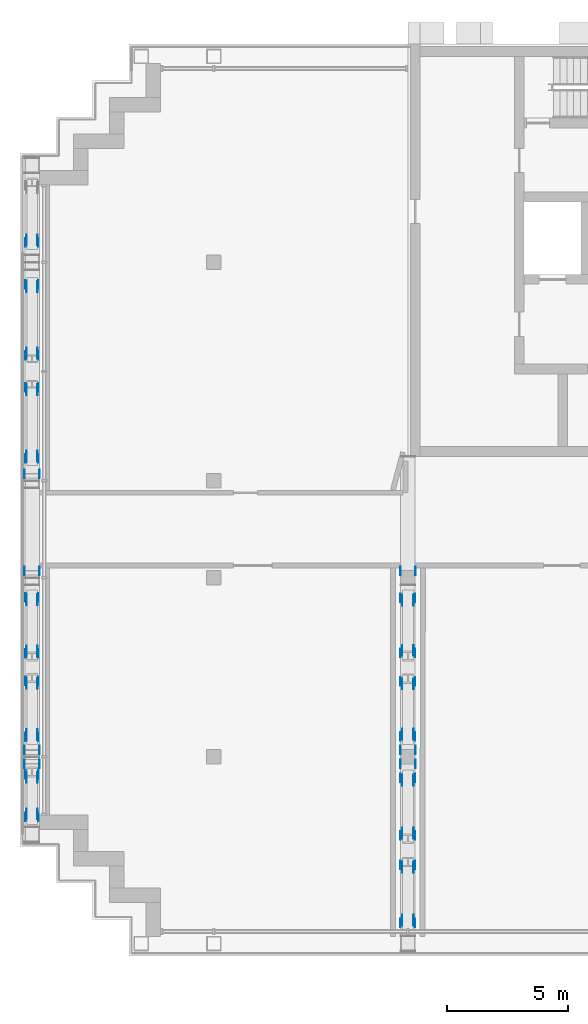
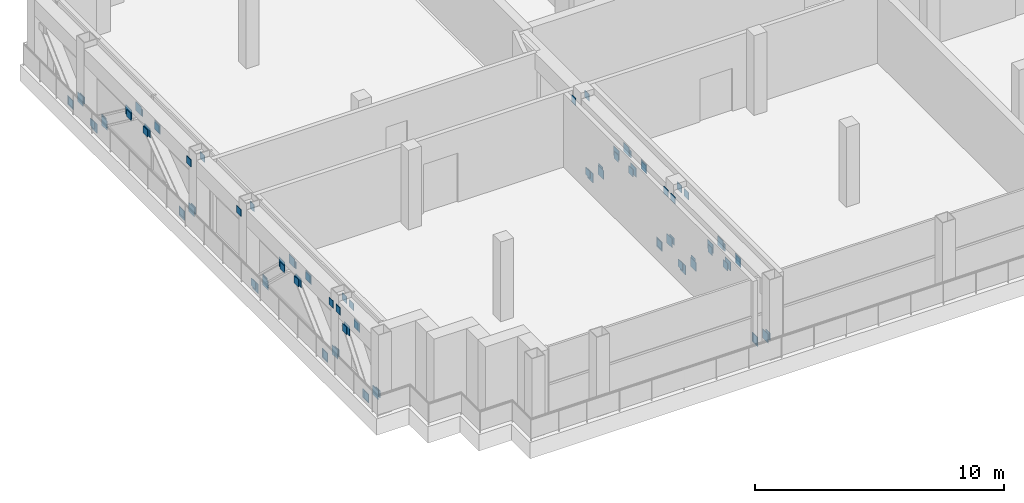
# One storey, part 14 of 21: 90 discrete accessories.
"""IFC4 building model written with IfcOpenShell, lengths in metres."""

from ifc_helpers import new_model, si_unit, direction, frame, origin, origin_2d, place, context, subcontext, project, spatial, rectangle, extrude, element, save


model = new_model("IFC4")

# Units and contexts
model_context = context("Model", 3, precision=1e-05, world=origin(), true_north=direction((0.0, 1.0)))
body_context = subcontext(model_context, "Body", "Model", "MODEL_VIEW")
ifc_project = project(units=[si_unit("LENGTHUNIT", "METRE"), si_unit("AREAUNIT", "SQUARE_METRE"), si_unit("VOLUMEUNIT", "CUBIC_METRE"), si_unit("PLANEANGLEUNIT", "RADIAN"), si_unit("MASSUNIT", "GRAM", prefix="KILO")], contexts=[model_context])

# Site, building, storey
site_placement = place(None, origin())
site = spatial("IfcSite", under=ifc_project, at=site_placement, CompositionType="ELEMENT")
building_placement = place(site_placement, origin())
building = spatial("IfcBuilding", under=site, at=building_placement, Name="Vidyagriha Tower", CompositionType="ELEMENT")
storey_placement = place(building_placement, frame((0.0, 0.0, 203.699951171875)))
storey = spatial("IfcBuildingStorey", under=building, at=storey_placement, Name="L52", CompositionType="ELEMENT", Elevation=203.699951171875)

# Discrete accessories
for number, where, z_axis, x_axis, name in (
    (1, (-29.7294921875, -11.751953125, 0.0), (0.0, 0.0, 1.0), (0.0, 1.0, 0.0), "Truss gusset plate ASTM A572 Grade 50 20mm"),
    (2, (-29.2705078125, -11.751953125, 0.0), (0.0, 0.0, 1.0), (0.0, 1.0, 0.0), "Truss gusset plate ASTM A572 Grade 50 20mm"),
    (3, (-29.7294921875, -10.248046875, 2.3701171875), (0.0, 0.0, 1.0), (0.0, 1.0, 0.0), "Truss gusset plate ASTM A572 Grade 50 20mm"),
    (4, (-29.2705078125, -10.248046875, 2.3701171875), (0.0, 0.0, 1.0), (0.0, 1.0, 0.0), "Truss gusset plate ASTM A572 Grade 50 20mm"),
    (5, (-29.7294921875, -8.48095703125, 0.0), (0.0, 0.0, 1.0), (0.0, 1.0, 0.0), "Truss gusset plate ASTM A572 Grade 50 20mm"),
    (6, (-29.2705078125, -8.48095703125, 0.0), (0.0, 0.0, 1.0), (0.0, 1.0, 0.0), "Truss gusset plate ASTM A572 Grade 50 20mm"),
    (7, (-29.7294921875, -6.368896484375, 2.3701171875), (0.0, 0.0, 1.0), (0.0, 1.0, 0.0), "Truss gusset plate ASTM A572 Grade 50 20mm"),
    (8, (-29.2705078125, -6.368896484375, 2.3701171875), (0.0, 0.0, 1.0), (0.0, 1.0, 0.0), "Truss gusset plate ASTM A572 Grade 50 20mm"),
    (9, (-29.7294921875, -5.031005859375, 2.3701171875), (0.0, 0.0, 1.0), (0.0, 1.0, 0.0), "Truss gusset plate ASTM A572 Grade 50 20mm"),
    (10, (-29.2705078125, -5.031005859375, 2.3701171875), (0.0, 0.0, 1.0), (0.0, 1.0, 0.0), "Truss gusset plate ASTM A572 Grade 50 20mm"),
    (11, (-29.7294921875, -2.9189453125, 0.0), (0.0, 0.0, 1.0), (0.0, 1.0, 0.0), "Truss gusset plate ASTM A572 Grade 50 20mm"),
    (12, (-29.2705078125, -2.9189453125, 0.0), (0.0, 0.0, 1.0), (0.0, 1.0, 0.0), "Truss gusset plate ASTM A572 Grade 50 20mm"),
    (13, (-29.7294921875, 2.997802734375, 0.0), (0.0, 0.0, 1.0), (0.0, 1.0, 0.0), "Truss gusset plate ASTM A572 Grade 50 20mm"),
    (14, (-29.2705078125, 2.997802734375, 0.0), (0.0, 0.0, 1.0), (0.0, 1.0, 0.0), "Truss gusset plate ASTM A572 Grade 50 20mm"),
    (15, (-29.7294921875, 5.752197265625, 2.3701171875), (0.0, 0.0, 1.0), (0.0, 1.0, 0.0), "Truss gusset plate ASTM A572 Grade 50 20mm"),
    (16, (-29.2705078125, 5.752197265625, 2.3701171875), (0.0, 0.0, 1.0), (0.0, 1.0, 0.0), "Truss gusset plate ASTM A572 Grade 50 20mm"),
    (17, (-29.7294921875, 7.247802734375, 2.3701171875), (0.0, 0.0, 1.0), (0.0, 1.0, 0.0), "Truss gusset plate ASTM A572 Grade 50 20mm"),
    (18, (-29.2705078125, 7.247802734375, 2.3701171875), (0.0, 0.0, 1.0), (0.0, 1.0, 0.0), "Truss gusset plate ASTM A572 Grade 50 20mm"),
    (19, (-29.7294921875, 10.002197265625, 0.0), (0.0, 0.0, 1.0), (0.0, 1.0, 0.0), "Truss gusset plate ASTM A572 Grade 50 20mm"),
    (20, (-29.2705078125, 10.002197265625, 0.0), (0.0, 0.0, 1.0), (0.0, 1.0, 0.0), "Truss gusset plate ASTM A572 Grade 50 20mm"),
    (21, (-29.7294921875, 11.923828125, 0.0), (0.0, 0.0, 1.0), (0.0, 1.0, 0.0), "Truss gusset plate ASTM A572 Grade 50 20mm"),
    (22, (-29.2705078125, 11.923828125, 0.0), (0.0, 0.0, 1.0), (0.0, 1.0, 0.0), "Truss gusset plate ASTM A572 Grade 50 20mm"),
    (23, (-14.23828125, -16.143798828125, 0.0), (0.0, 0.0, 1.0), (0.0, 1.0, 0.0), "Truss gusset plate ASTM A572 Grade 50 20mm"),
    (24, (-13.76171875, -16.143798828125, 0.0), (0.0, 0.0, 1.0), (0.0, 1.0, 0.0), "Truss gusset plate ASTM A572 Grade 50 20mm"),
    (25, (-14.23828125, -13.956298828125, 2.3701171875), (0.0, 0.0, 1.0), (0.0, 1.0, 0.0), "Truss gusset plate ASTM A572 Grade 50 20mm"),
    (26, (-13.76171875, -13.956298828125, 2.3701171875), (0.0, 0.0, 1.0), (0.0, 1.0, 0.0), "Truss gusset plate ASTM A572 Grade 50 20mm"),
    (27, (-14.23828125, -12.543701171875, 2.3701171875), (0.0, 0.0, 1.0), (0.0, 1.0, 0.0), "Truss gusset plate ASTM A572 Grade 50 20mm"),
    (28, (-13.76171875, -12.543701171875, 2.3701171875), (0.0, 0.0, 1.0), (0.0, 1.0, 0.0), "Truss gusset plate ASTM A572 Grade 50 20mm"),
    (29, (-14.23828125, -10.356201171875, 0.0), (0.0, 0.0, 1.0), (0.0, 1.0, 0.0), "Truss gusset plate ASTM A572 Grade 50 20mm"),
    (30, (-13.76171875, -10.356201171875, 0.0), (0.0, 0.0, 1.0), (0.0, 1.0, 0.0), "Truss gusset plate ASTM A572 Grade 50 20mm"),
    (31, (-14.23828125, -8.4599609375, 0.0), (0.0, 0.0, 1.0), (0.0, 1.0, 0.0), "Truss gusset plate ASTM A572 Grade 50 20mm"),
    (32, (-13.76171875, -8.4599609375, 0.0), (0.0, 0.0, 1.0), (0.0, 1.0, 0.0), "Truss gusset plate ASTM A572 Grade 50 20mm"),
    (33, (-14.23828125, -6.39013671875, 2.3701171875), (0.0, 0.0, 1.0), (0.0, 1.0, 0.0), "Truss gusset plate ASTM A572 Grade 50 20mm"),
    (34, (-13.76171875, -6.39013671875, 2.3701171875), (0.0, 0.0, 1.0), (0.0, 1.0, 0.0), "Truss gusset plate ASTM A572 Grade 50 20mm"),
    (35, (-14.23828125, -5.010009765625, 2.3701171875), (0.0, 0.0, 1.0), (0.0, 1.0, 0.0), "Truss gusset plate ASTM A572 Grade 50 20mm"),
    (36, (-13.76171875, -5.010009765625, 2.3701171875), (0.0, 0.0, 1.0), (0.0, 1.0, 0.0), "Truss gusset plate ASTM A572 Grade 50 20mm"),
    (37, (-14.23828125, -2.940185546875, 0.0), (0.0, 0.0, 1.0), (0.0, 1.0, 0.0), "Truss gusset plate ASTM A572 Grade 50 20mm"),
    (38, (-13.76171875, -2.940185546875, 0.0), (0.0, 0.0, 1.0), (0.0, 1.0, 0.0), "Truss gusset plate ASTM A572 Grade 50 20mm"),
):
    element("IfcDiscreteAccessory", number, at=place(storey_placement, frame(where, z_axis=z_axis, x_axis=x_axis)), inside=storey, Name=name, ObjectType="GUSSET PLATE", PredefinedType="USERDEFINED", context=body_context, shape_type="SweptSolid", body=[
        extrude(rectangle(XDim=0.449951171875, YDim=0.02001953125, at=origin_2d()), origin(), (0.0, 0.0, 1.0), 0.449951171875),
    ])
for number, where, z_axis, x_axis, name in (
    (39, (-29.81005859375, -9.68115234375, 3.044921875), (0.0, 0.0, 1.0), (0.0, 1.0, 0.0), "End plate ASTM A572 Grade 50 20mm"),
    (40, (-29.18994140625, -9.68115234375, 3.044921875), (0.0, 0.0, 1.0), (0.0, 1.0, 0.0), "End plate ASTM A572 Grade 50 20mm"),
    (41, (-29.2333984375, -11.869384765625, 0.120849609375), (0.0, 0.0, 1.0), (0.0, -1.0, 0.0), "End plate ASTM A572 Grade 50 20mm"),
    (42, (-29.7666015625, -11.869384765625, 0.120849609375), (0.0, 0.0, 1.0), (0.0, -1.0, 0.0), "End plate ASTM A572 Grade 50 20mm"),
    (43, (-29.7666015625, -10.130615234375, 2.34912109375), (0.0, 0.0, 1.0), (0.0, 1.0, 0.0), "End plate ASTM A572 Grade 50 20mm"),
    (44, (-29.2333984375, -10.130615234375, 2.34912109375), (0.0, 0.0, 1.0), (0.0, 1.0, 0.0), "End plate ASTM A572 Grade 50 20mm"),
    (45, (-29.18994140625, -9.1201171875, 3.044921875), (0.0, 0.0, 1.0), (0.0, -1.0, 0.0), "End plate ASTM A572 Grade 50 20mm"),
    (46, (-29.81005859375, -9.1201171875, 3.044921875), (0.0, 0.0, 1.0), (0.0, -1.0, 0.0), "End plate ASTM A572 Grade 50 20mm"),
    (47, (-29.2333984375, -8.57958984375, 0.13134765625), (0.0, 0.0, 1.0), (0.0, -1.0, 0.0), "End plate ASTM A572 Grade 50 20mm"),
    (48, (-29.7666015625, -8.57958984375, 0.13134765625), (0.0, 0.0, 1.0), (0.0, -1.0, 0.0), "End plate ASTM A572 Grade 50 20mm"),
    (49, (-29.7666015625, -6.2705078125, 2.338623046875), (0.0, 0.0, 1.0), (0.0, 1.0, 0.0), "End plate ASTM A572 Grade 50 20mm"),
    (50, (-29.2333984375, -6.2705078125, 2.338623046875), (0.0, 0.0, 1.0), (0.0, 1.0, 0.0), "End plate ASTM A572 Grade 50 20mm"),
    (51, (-29.2333984375, -5.12939453125, 2.338623046875), (0.0, 0.0, 1.0), (0.0, -1.0, 0.0), "End plate ASTM A572 Grade 50 20mm"),
    (52, (-29.7666015625, -5.12939453125, 2.338623046875), (0.0, 0.0, 1.0), (0.0, -1.0, 0.0), "End plate ASTM A572 Grade 50 20mm"),
    (53, (-29.7666015625, -2.820556640625, 0.13134765625), (0.0, 0.0, 1.0), (0.0, 1.0, 0.0), "End plate ASTM A572 Grade 50 20mm"),
    (54, (-29.2333984375, -2.820556640625, 0.13134765625), (0.0, 0.0, 1.0), (0.0, 1.0, 0.0), "End plate ASTM A572 Grade 50 20mm"),
    (55, (-29.18994140625, -1.719970703125, 3.044921875), (0.0, 0.0, 1.0), (0.0, -1.0, 0.0), "End plate ASTM A572 Grade 50 20mm"),
    (56, (-29.81005859375, -1.719970703125, 3.044921875), (0.0, 0.0, 1.0), (0.0, -1.0, 0.0), "End plate ASTM A572 Grade 50 20mm"),
    (57, (-29.18994140625, 2.280029296875, 3.044921875), (0.0, 0.0, 1.0), (0.0, -1.0, 0.0), "End plate ASTM A572 Grade 50 20mm"),
    (58, (-29.81005859375, 2.280029296875, 3.044921875), (0.0, 0.0, 1.0), (0.0, -1.0, 0.0), "End plate ASTM A572 Grade 50 20mm"),
    (59, (-29.2333984375, 2.91259765625, 0.13525390625), (0.0, 0.0, 1.0), (0.0, -1.0, 0.0), "End plate ASTM A572 Grade 50 20mm"),
    (60, (-29.7666015625, 2.91259765625, 0.13525390625), (0.0, 0.0, 1.0), (0.0, -1.0, 0.0), "End plate ASTM A572 Grade 50 20mm"),
    (61, (-29.7666015625, 5.83740234375, 2.334716796875), (0.0, 0.0, 1.0), (0.0, 1.0, 0.0), "End plate ASTM A572 Grade 50 20mm"),
    (62, (-29.2333984375, 5.83740234375, 2.334716796875), (0.0, 0.0, 1.0), (0.0, 1.0, 0.0), "End plate ASTM A572 Grade 50 20mm"),
    (63, (-29.2333984375, 7.16259765625, 2.334716796875), (0.0, 0.0, 1.0), (0.0, -1.0, 0.0), "End plate ASTM A572 Grade 50 20mm"),
    (64, (-29.7666015625, 7.16259765625, 2.334716796875), (0.0, 0.0, 1.0), (0.0, -1.0, 0.0), "End plate ASTM A572 Grade 50 20mm"),
    (65, (-29.7666015625, 10.08740234375, 0.13525390625), (0.0, 0.0, 1.0), (0.0, 1.0, 0.0), "End plate ASTM A572 Grade 50 20mm"),
    (66, (-29.2333984375, 10.08740234375, 0.13525390625), (0.0, 0.0, 1.0), (0.0, 1.0, 0.0), "End plate ASTM A572 Grade 50 20mm"),
    (67, (-29.2333984375, 11.826416015625, 0.1318359375), (0.0, 0.0, 1.0), (0.0, -1.0, 0.0), "End plate ASTM A572 Grade 50 20mm"),
    (68, (-29.7666015625, 11.826416015625, 0.1318359375), (0.0, 0.0, 1.0), (0.0, -1.0, 0.0), "End plate ASTM A572 Grade 50 20mm"),
    (69, (-14.31005859375, -9.680419921875, 3.044921875), (0.0, 0.0, 1.0), (0.0, 1.0, 0.0), "End plate ASTM A572 Grade 50 20mm"),
    (70, (-13.68994140625, -9.680419921875, 3.044921875), (0.0, 0.0, 1.0), (0.0, 1.0, 0.0), "End plate ASTM A572 Grade 50 20mm"),
    (71, (-13.70556640625, -16.2392578125, 0.1533203125), (0.0, 0.0, 1.0), (0.0, -1.0, 0.0), "End plate ASTM A572 Grade 50 20mm"),
    (72, (-14.29443359375, -16.2392578125, 0.1533203125), (0.0, 0.0, 1.0), (0.0, -1.0, 0.0), "End plate ASTM A572 Grade 50 20mm"),
    (73, (-14.29443359375, -13.86083984375, 2.31689453125), (0.0, 0.0, 1.0), (0.0, 1.0, 0.0), "End plate ASTM A572 Grade 50 20mm"),
    (74, (-13.70556640625, -13.86083984375, 2.31689453125), (0.0, 0.0, 1.0), (0.0, 1.0, 0.0), "End plate ASTM A572 Grade 50 20mm"),
    (75, (-13.70556640625, -12.63916015625, 2.31689453125), (0.0, 0.0, 1.0), (0.0, -1.0, 0.0), "End plate ASTM A572 Grade 50 20mm"),
    (76, (-14.29443359375, -12.63916015625, 2.31689453125), (0.0, 0.0, 1.0), (0.0, -1.0, 0.0), "End plate ASTM A572 Grade 50 20mm"),
    (77, (-14.29443359375, -10.2607421875, 0.1533203125), (0.0, 0.0, 1.0), (0.0, 1.0, 0.0), "End plate ASTM A572 Grade 50 20mm"),
    (78, (-13.70556640625, -10.2607421875, 0.1533203125), (0.0, 0.0, 1.0), (0.0, 1.0, 0.0), "End plate ASTM A572 Grade 50 20mm"),
    (79, (-13.68994140625, -9.1201171875, 3.044921875), (0.0, 0.0, 1.0), (0.0, -1.0, 0.0), "End plate ASTM A572 Grade 50 20mm"),
    (80, (-14.31005859375, -9.1201171875, 3.044921875), (0.0, 0.0, 1.0), (0.0, -1.0, 0.0), "End plate ASTM A572 Grade 50 20mm"),
    (81, (-13.70556640625, -8.558349609375, 0.151611328125), (0.0, 0.0, 1.0), (0.0, -1.0, 0.0), "End plate ASTM A572 Grade 50 20mm"),
    (82, (-14.29443359375, -8.558349609375, 0.151611328125), (0.0, 0.0, 1.0), (0.0, -1.0, 0.0), "End plate ASTM A572 Grade 50 20mm"),
    (83, (-14.29443359375, -6.29150390625, 2.318359375), (0.0, 0.0, 1.0), (0.0, 1.0, 0.0), "End plate ASTM A572 Grade 50 20mm"),
    (84, (-13.70556640625, -6.29150390625, 2.318359375), (0.0, 0.0, 1.0), (0.0, 1.0, 0.0), "End plate ASTM A572 Grade 50 20mm"),
    (85, (-13.70556640625, -5.1083984375, 2.318359375), (0.0, 0.0, 1.0), (0.0, -1.0, 0.0), "End plate ASTM A572 Grade 50 20mm"),
    (86, (-14.29443359375, -5.1083984375, 2.318359375), (0.0, 0.0, 1.0), (0.0, -1.0, 0.0), "End plate ASTM A572 Grade 50 20mm"),
    (87, (-14.29443359375, -2.841552734375, 0.151611328125), (0.0, 0.0, 1.0), (0.0, 1.0, 0.0), "End plate ASTM A572 Grade 50 20mm"),
    (88, (-13.70556640625, -2.841552734375, 0.151611328125), (0.0, 0.0, 1.0), (0.0, 1.0, 0.0), "End plate ASTM A572 Grade 50 20mm"),
    (89, (-13.68994140625, -1.719970703125, 3.044921875), (0.0, 0.0, 1.0), (0.0, -1.0, 0.0), "End plate ASTM A572 Grade 50 20mm"),
    (90, (-14.31005859375, -1.719970703125, 3.044921875), (0.0, 0.0, 1.0), (0.0, -1.0, 0.0), "End plate ASTM A572 Grade 50 20mm"),
):
    element("IfcDiscreteAccessory", number, at=place(storey_placement, frame(where, z_axis=z_axis, x_axis=x_axis)), inside=storey, Name=name, ObjectType="END PLATE", PredefinedType="USERDEFINED", context=body_context, shape_type="SweptSolid", body=[
        extrude(rectangle(XDim=0.35009765625, YDim=0.02001953125, at=origin_2d()), origin(), (0.0, 0.0, 1.0), 0.35009765625),
    ])

save(model, "model.ifc")
